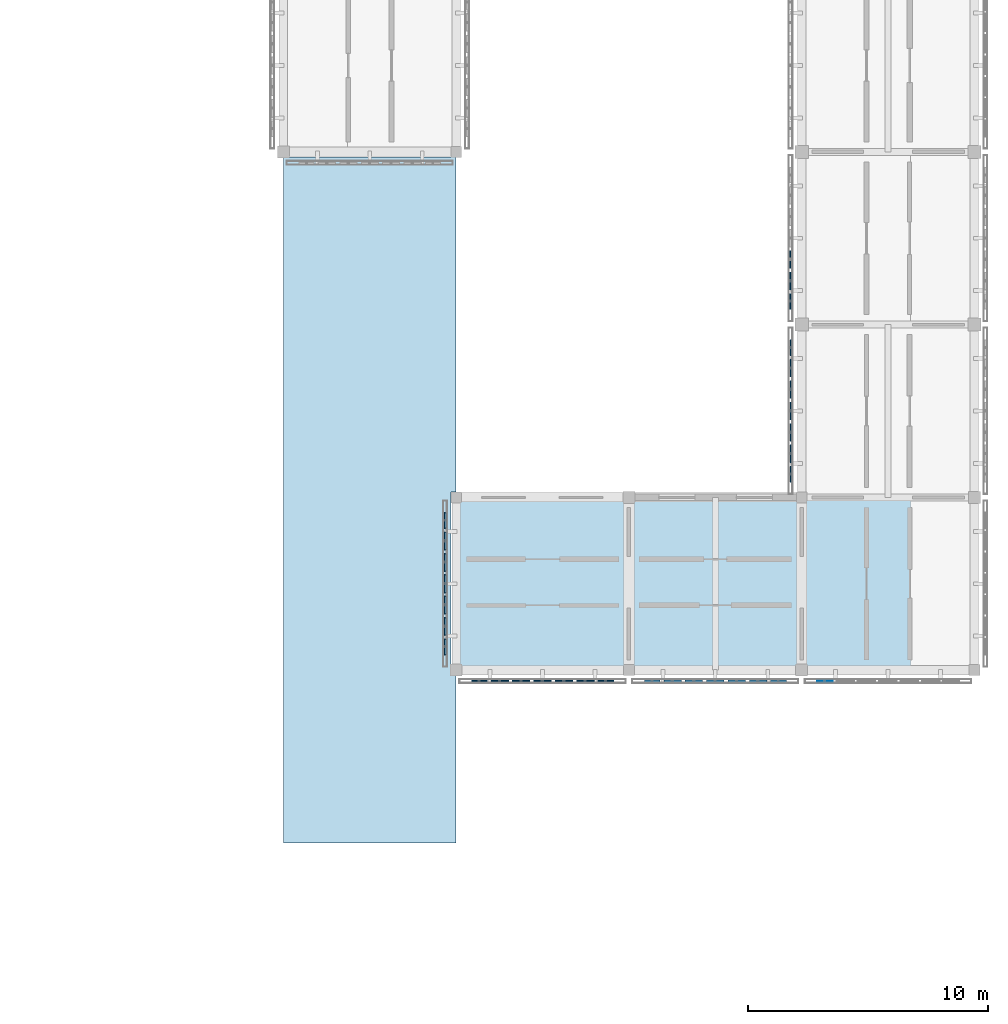
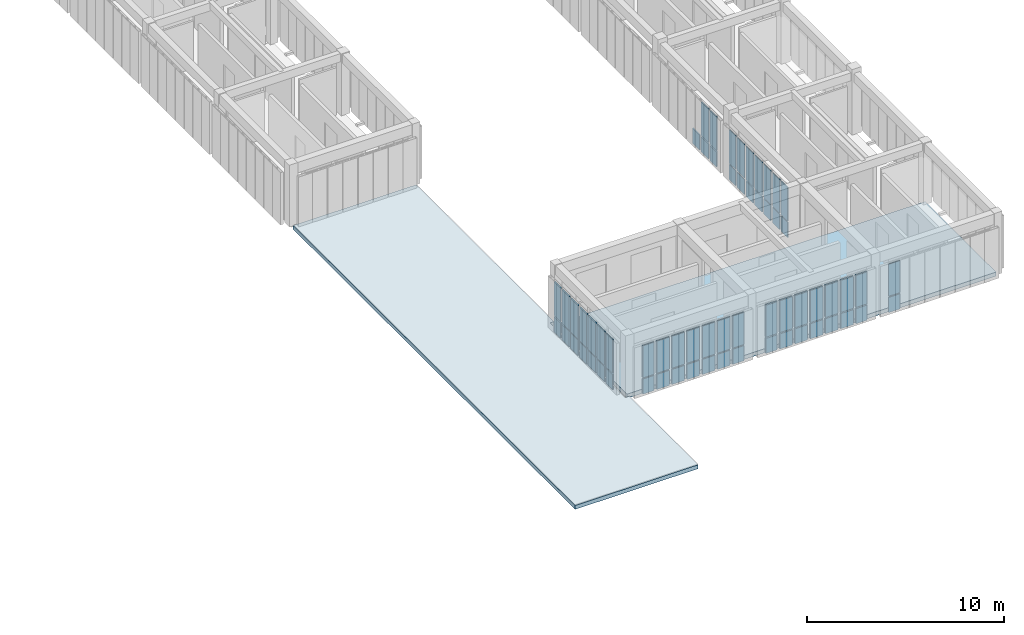
# One storey, part 45 of 67: 63 plates, 2 slabs, 6 elements without a shape of their own.
"""IFC4 building model written with IfcOpenShell, lengths in metres."""

import ifcopenshell
import ifcopenshell.guid

model = None  # the IFC model being written
_history = None  # IfcOwnerHistory: only IFC2X3 demands one
_inside = {}  # id of a spatial element -> (the spatial element, [elements in it])
_under = {}  # id of a project, library or spatial element -> (it, [spatial elements below it])
_declared = {}  # id of a project -> (the project, [libraries it declares])
_typed = {}  # id of a type object -> (the type object, [elements of that type])
_made_of = {}  # id of a material, layer set ... -> (it, [elements and type objects made of it])


def new_model(schema):
    """Start an empty IFC model of exactly this schema.

    Asked for "IFC4X3", IfcOpenShell would pick the latest addendum, in which some entities
    have other attributes; the version numbers below select the first issue.
    IFC2X3 requires an IfcOwnerHistory on every rooted entity: one is made here for all.
    """
    global model, _history
    if schema == "IFC4X3":
        model = ifcopenshell.file(schema_version=(4, 3, 0, 0))
    else:
        model = ifcopenshell.file(schema=schema)
    _inside.clear()
    _under.clear()
    _declared.clear()
    _typed.clear()
    _made_of.clear()
    _history = None
    if model.schema == "IFC2X3":
        org = make("IfcOrganization", Name="unknown")
        user = make(
            "IfcPersonAndOrganization",
            ThePerson=make("IfcPerson", FamilyName="unknown"),
            TheOrganization=org,
        )
        app = make(
            "IfcApplication",
            ApplicationDeveloper=org,
            Version="unknown",
            ApplicationFullName="unknown",
            ApplicationIdentifier="unknown",
        )
        _history = make(
            "IfcOwnerHistory",
            OwningUser=user,
            OwningApplication=app,
            ChangeAction="ADDED",
            CreationDate=0,
        )
    return model


def make(cls, **values):
    """One entity of the class cls with the attributes given. An attribute that is None is left unset."""
    return model.create_entity(
        cls, **{name: value for name, value in values.items() if value is not None}
    )


def rooted(cls, **values):
    """An entity with a GlobalId (a new one), such as an element, a storey or a relation."""
    return make(cls, GlobalId=ifcopenshell.guid.new(), OwnerHistory=_history, **values)


def si_unit(unit_type, name, prefix=None):
    """IfcSIUnit, for example si_unit("LENGTHUNIT", "METRE", prefix="MILLI")."""
    return make("IfcSIUnit", UnitType=unit_type, Prefix=prefix, Name=name)


def assignment(units):
    """IfcUnitAssignment: the units of a project."""
    return None if units is None else make("IfcUnitAssignment", Units=units)


def point(xyz):
    """IfcCartesianPoint."""
    return None if xyz is None else make("IfcCartesianPoint", Coordinates=xyz)


def direction(xyz):
    """IfcDirection."""
    return None if xyz is None else make("IfcDirection", DirectionRatios=xyz)


def frame(location, z_axis=None, x_axis=None):
    """IfcAxis2Placement3D, a coordinate frame: its origin and axes. An axis left out is left unset."""
    return make(
        "IfcAxis2Placement3D",
        Location=point(location),
        Axis=direction(z_axis),
        RefDirection=direction(x_axis),
    )


def frame_2d(location, x_axis=None):
    """IfcAxis2Placement2D, a coordinate frame in the plane: its origin and x axis."""
    return make(
        "IfcAxis2Placement2D", Location=point(location), RefDirection=direction(x_axis)
    )


def origin():
    """The frame at (0, 0, 0) with its axes left unset."""
    return frame((0.0, 0.0, 0.0))


def origin_2d():
    """The frame at (0, 0) in the plane with its x axis left unset."""
    return frame_2d((0.0, 0.0))


def place(relative_to, where):
    """IfcLocalPlacement: puts the frame where relative to a parent placement (None: the world)."""
    return make(
        "IfcLocalPlacement", PlacementRelTo=relative_to, RelativePlacement=where
    )


def context(
    kind, dimensions, precision=None, world=None, true_north=None, identifier=None
):
    """IfcGeometricRepresentationContext, for example the 3D "Model" context."""
    return make(
        "IfcGeometricRepresentationContext",
        ContextIdentifier=identifier,
        ContextType=kind,
        CoordinateSpaceDimension=dimensions,
        Precision=precision,
        WorldCoordinateSystem=world,
        TrueNorth=true_north,
    )


def subcontext(parent, identifier, kind, view, scale=None):
    """IfcGeometricRepresentationSubContext, for example "Body" below "Model"."""
    return make(
        "IfcGeometricRepresentationSubContext",
        ContextIdentifier=identifier,
        ContextType=kind,
        ParentContext=parent,
        TargetScale=scale,
        TargetView=view,
    )


def project(units=None, contexts=None):
    """IfcProject with its units and contexts."""
    return rooted(
        "IfcProject",
        Name="project",
        RepresentationContexts=contexts,
        UnitsInContext=assignment(units),
    )


def spatial(cls, under=None, at=None, **own):
    """A site, building, storey or space (cls), placed at a placement, below another one or the project."""
    s = rooted(cls, ObjectPlacement=at, **own)
    if under is not None:
        _under.setdefault(under.id(), (under, []))[1].append(s)
    return s


def polyline(points):
    """IfcPolyline through the points."""
    return make("IfcPolyline", Points=[point(p) for p in points])


def profile(cls, at=None, kind="AREA", **sizes):
    """A parametric profile (cls). Its sizes go by their IFC names, for example OverallWidth=200.0."""
    return make(cls, ProfileType=kind, Position=at, **sizes)


def rectangle(**sizes):
    """IfcRectangleProfileDef."""
    return profile("IfcRectangleProfileDef", **sizes)


def outline(outer, holes=None, kind="AREA"):
    """IfcArbitraryClosedProfileDef: a profile drawn as a closed curve; with holes, ...WithVoids."""
    if holes is None:
        return make("IfcArbitraryClosedProfileDef", ProfileType=kind, OuterCurve=outer)
    return make(
        "IfcArbitraryProfileDefWithVoids",
        ProfileType=kind,
        OuterCurve=outer,
        InnerCurves=holes,
    )


def extrude(swept, where, along, depth):
    """IfcExtrudedAreaSolid: the profile swept, set in the frame where, extruded along a direction by depth."""
    return make(
        "IfcExtrudedAreaSolid",
        SweptArea=swept,
        Position=where,
        ExtrudedDirection=direction(along),
        Depth=depth,
    )


def shape(context_of_items, identifier, shape_type, items):
    """IfcShapeRepresentation: the items that make up one representation, for example the "Body"."""
    return make(
        "IfcShapeRepresentation",
        ContextOfItems=context_of_items,
        RepresentationIdentifier=identifier,
        RepresentationType=shape_type,
        Items=items,
    )


def material(Name=None, Category=None):
    """IfcMaterial."""
    return make("IfcMaterial", Name=Name, Category=Category)


def layer(
    of_material, thickness, ventilated=None, Name=None, Category=None, Priority=None
):
    """IfcMaterialLayer: one layer of a wall or slab, of a material (None: an air gap)."""
    return make(
        "IfcMaterialLayer",
        Material=of_material,
        LayerThickness=thickness,
        IsVentilated=ventilated,
        Name=Name,
        Category=Category,
        Priority=Priority,
    )


def layer_set(layers, Name=None):
    """IfcMaterialLayerSet."""
    return make("IfcMaterialLayerSet", MaterialLayers=layers, LayerSetName=Name)


def made_of(thing, what):
    """Note that an element or type object is made of a material, layer set ...; save() writes the relation."""
    if what is not None:
        _made_of.setdefault(what.id(), (what, []))[1].append(thing)
    return thing


def type_object(cls, material=None, **own):
    """A type object (cls), such as IfcWallType, which elements share."""
    return made_of(rooted(cls, **own), material)


def element(
    cls,
    number,
    at=None,
    inside=None,
    cuts=None,
    type_object=None,
    material=None,
    context=None,
    identifier="Body",
    shape_type=None,
    held_by="IfcProductDefinitionShape",
    body=None,
    shapes=None,
    **own,
):
    """One element of the class cls, such as IfcWall. Its Tag is "e" and its number.

    at: its placement. inside: the storey or other place that contains it. cuts: it is an
    opening in that element (IfcRelVoidsElement). A single representation is given by context,
    identifier, shape_type and body (its items); several are given by shapes. held_by: the class
    of the entity that holds the representations. save() writes the other relations.
    """
    e = rooted(cls, Tag="e%d" % number, ObjectPlacement=at, **own)
    if body is not None:
        shapes = [shape(context, identifier, shape_type, body)]
    if shapes is not None:
        e.Representation = make(held_by, Representations=shapes)
    if inside is not None:
        _inside.setdefault(inside.id(), (inside, []))[1].append(e)
    if cuts is not None:
        rooted(
            "IfcRelVoidsElement", RelatingBuildingElement=cuts, RelatedOpeningElement=e
        )
    if type_object is not None:
        _typed.setdefault(type_object.id(), (type_object, []))[1].append(e)
    return made_of(e, material)


def aggregate(whole, parts):
    """IfcRelAggregates: a whole, such as a stair, and the parts it consists of."""
    return rooted("IfcRelAggregates", RelatingObject=whole, RelatedObjects=parts)


def save(model, path):
    """Write the relations noted so far, then the file.

    IfcRelAggregates (storeys below a building ...), IfcRelContainedInSpatialStructure (elements
    in a storey), IfcRelDefinesByType, IfcRelAssociatesMaterial and IfcRelDeclares: one each for
    every whole, place, type object, material and project.
    """
    for whole, parts in _under.values():
        aggregate(whole, parts)
    for where, things in _inside.values():
        rooted(
            "IfcRelContainedInSpatialStructure",
            RelatedElements=things,
            RelatingStructure=where,
        )
    for kind, things in _typed.values():
        rooted("IfcRelDefinesByType", RelatedObjects=things, RelatingType=kind)
    for what, things in _made_of.values():
        rooted("IfcRelAssociatesMaterial", RelatedObjects=things, RelatingMaterial=what)
    for by, libraries in _declared.values():
        rooted("IfcRelDeclares", RelatingContext=by, RelatedDefinitions=libraries)
    model.write(path)


model = new_model("IFC4")

# Units and contexts
model_context = context("Model", 3, precision=1e-05, world=origin(), true_north=direction((0.0, 1.0)))
body_context = subcontext(model_context, "Body", "Model", "MODEL_VIEW")
ifc_project = project(units=[si_unit("LENGTHUNIT", "METRE"), si_unit("AREAUNIT", "SQUARE_METRE"), si_unit("VOLUMEUNIT", "CUBIC_METRE"), si_unit("PLANEANGLEUNIT", "RADIAN"), si_unit("MASSUNIT", "GRAM", prefix="KILO")], contexts=[model_context])

# Site, building, storey
site_placement = place(None, origin())
site = spatial("IfcSite", under=ifc_project, at=site_placement, CompositionType="ELEMENT")
building_placement = place(site_placement, origin())
building = spatial("IfcBuilding", under=site, at=building_placement, Name="Aldebral Square Health Centre", CompositionType="ELEMENT")
storey_placement = place(building_placement, frame((0.0, 0.0, 13.5)))
storey = spatial("IfcBuildingStorey", under=building, at=storey_placement, Name="L03", CompositionType="ELEMENT", Elevation=13.5)

# Curtain wall, plates
ifc_material_1 = material(Name="Aluminium and low-E solar glass", Category="aluminium")
curtain_wall_type = type_object("IfcCurtainWallType", Name="CW-FIN-SYS", PredefinedType="USERDEFINED", material=ifc_material_1)
curtain_wall_1_placement = place(storey_placement, origin())
curtain_wall_1 = element("IfcCurtainWall", 1, at=curtain_wall_1_placement, inside=storey, type_object=curtain_wall_type, Name="L03 V5 finned curtain wall L03-V5-22-08-S", ObjectType="SOLAR_CURTAIN_WALL", PredefinedType="USERDEFINED")
ifc_material_2 = material(Name="Solar-control low-E double glass", Category="glass")
ifc_layer_1 = layer(ifc_material_2, 0.030029296875, Name="Solar-control low-E double glass", Category="glass")
ifc_layer_set_1 = layer_set([ifc_layer_1], Name="Solar-control low-E double glass")
plate_type_1 = type_object("IfcPlateType", Name="CWP-GLZ-2", PredefinedType="CURTAIN_PANEL", material=ifc_layer_set_1)
plate_1_placement = place(storey_placement, frame((159.36572265625, 57.139892578125, 0.074951171875), z_axis=(0.0, 0.0, 1.0), x_axis=(1.0, 0.0, 0.0)))
plate_1 = element("IfcPlate", 2, at=plate_1_placement, type_object=plate_type_1, Name="CW1 panel 1.1", PredefinedType="CURTAIN_PANEL", context=body_context, shape_type="SweptSolid", body=[
    extrude(rectangle(XDim=0.6513671875, YDim=0.030029296875, at=origin_2d()), origin(), (0.0, 0.0, 1.0), 0.9375),
])
plate_2_placement = place(storey_placement, frame((159.36572265625, 57.139892578125, 1.08740234375), z_axis=(0.0, 0.0, 1.0), x_axis=(1.0, 0.0, 0.0)))
plate_2 = element("IfcPlate", 3, at=plate_2_placement, type_object=plate_type_1, Name="CW1 panel 1.2", PredefinedType="CURTAIN_PANEL", context=body_context, shape_type="SweptSolid", body=[
    extrude(rectangle(XDim=0.6513671875, YDim=0.030029296875, at=origin_2d()), origin(), (0.0, 0.0, 1.0), 1.9775390625),
])
aggregate(curtain_wall_1, [plate_1, plate_2])

curtain_wall_2_placement = place(storey_placement, origin())
curtain_wall_2 = element("IfcCurtainWall", 4, at=curtain_wall_2_placement, inside=storey, type_object=curtain_wall_type, Name="L03 V5 finned curtain wall L03-V5-22-09-W", ObjectType="SOLAR_CURTAIN_WALL", PredefinedType="USERDEFINED")
ifc_layer_2 = layer(ifc_material_2, 0.050048828125, Name="Solar-control low-E double glass", Category="glass")
ifc_layer_set_2 = layer_set([ifc_layer_2], Name="Solar-control low-E double glass")
plate_type_2 = type_object("IfcPlateType", Name="CWP-GLZ-4", PredefinedType="CURTAIN_PANEL", material=ifc_layer_set_2)
plate_3_placement = place(storey_placement, frame((157.93994140625, 71.0341796875, 0.074951171875), z_axis=(0.0, 0.0, 1.0), x_axis=(0.0, -1.0, 0.0)))
plate_3 = element("IfcPlate", 5, at=plate_3_placement, type_object=plate_type_2, Name="CW1 panel 1.1", PredefinedType="CURTAIN_PANEL", context=body_context, shape_type="SweptSolid", body=[
    extrude(rectangle(XDim=0.6513671875, YDim=0.050048828125, at=origin_2d()), origin(), (0.0, 0.0, 1.0), 0.9375),
])
plate_4_placement = place(storey_placement, frame((157.93994140625, 71.0341796875, 1.08740234375), z_axis=(0.0, 0.0, 1.0), x_axis=(0.0, -1.0, 0.0)))
plate_4 = element("IfcPlate", 6, at=plate_4_placement, type_object=plate_type_2, Name="CW1 panel 1.2", PredefinedType="CURTAIN_PANEL", context=body_context, shape_type="SweptSolid", body=[
    extrude(rectangle(XDim=0.6513671875, YDim=0.050048828125, at=origin_2d()), origin(), (0.0, 0.0, 1.0), 2.077392578125),
])
plate_5_placement = place(storey_placement, frame((157.93994140625, 70.182861328125, 0.074951171875), z_axis=(0.0, 0.0, 1.0), x_axis=(0.0, -1.0, 0.0)))
plate_5 = element("IfcPlate", 7, at=plate_5_placement, type_object=plate_type_2, Name="CW1 panel 2.1", PredefinedType="CURTAIN_PANEL", context=body_context, shape_type="SweptSolid", body=[
    extrude(rectangle(XDim=0.7314453125, YDim=0.050048828125, at=origin_2d()), origin(), (0.0, 0.0, 1.0), 0.9375),
])
plate_6_placement = place(storey_placement, frame((157.93994140625, 70.182861328125, 1.08740234375), z_axis=(0.0, 0.0, 1.0), x_axis=(0.0, -1.0, 0.0)))
plate_6 = element("IfcPlate", 8, at=plate_6_placement, type_object=plate_type_2, Name="CW1 panel 2.2", PredefinedType="CURTAIN_PANEL", context=body_context, shape_type="SweptSolid", body=[
    extrude(rectangle(XDim=0.7314453125, YDim=0.050048828125, at=origin_2d()), origin(), (0.0, 0.0, 1.0), 2.077392578125),
])
plate_7_placement = place(storey_placement, frame((157.93994140625, 69.29150390625, 0.074951171875), z_axis=(0.0, 0.0, 1.0), x_axis=(0.0, -1.0, 0.0)))
plate_7 = element("IfcPlate", 9, at=plate_7_placement, type_object=plate_type_2, Name="CW1 panel 3.1", PredefinedType="CURTAIN_PANEL", context=body_context, shape_type="SweptSolid", body=[
    extrude(rectangle(XDim=0.7314453125, YDim=0.050048828125, at=origin_2d()), origin(), (0.0, 0.0, 1.0), 0.9375),
])
plate_8_placement = place(storey_placement, frame((157.93994140625, 69.29150390625, 1.08740234375), z_axis=(0.0, 0.0, 1.0), x_axis=(0.0, -1.0, 0.0)))
plate_8 = element("IfcPlate", 10, at=plate_8_placement, type_object=plate_type_2, Name="CW1 panel 3.2", PredefinedType="CURTAIN_PANEL", context=body_context, shape_type="SweptSolid", body=[
    extrude(rectangle(XDim=0.7314453125, YDim=0.050048828125, at=origin_2d()), origin(), (0.0, 0.0, 1.0), 2.077392578125),
])
plate_9_placement = place(storey_placement, frame((157.93994140625, 68.39990234375, 0.074951171875), z_axis=(0.0, 0.0, 1.0), x_axis=(0.0, -1.0, 0.0)))
plate_9 = element("IfcPlate", 11, at=plate_9_placement, type_object=plate_type_2, Name="CW1 panel 4.1", PredefinedType="CURTAIN_PANEL", context=body_context, shape_type="SweptSolid", body=[
    extrude(rectangle(XDim=0.7314453125, YDim=0.050048828125, at=origin_2d()), origin(), (0.0, 0.0, 1.0), 0.9375),
])
plate_10_placement = place(storey_placement, frame((157.93994140625, 68.39990234375, 1.08740234375), z_axis=(0.0, 0.0, 1.0), x_axis=(0.0, -1.0, 0.0)))
plate_10 = element("IfcPlate", 12, at=plate_10_placement, type_object=plate_type_2, Name="CW1 panel 4.2", PredefinedType="CURTAIN_PANEL", context=body_context, shape_type="SweptSolid", body=[
    extrude(rectangle(XDim=0.7314453125, YDim=0.050048828125, at=origin_2d()), origin(), (0.0, 0.0, 1.0), 2.077392578125),
])
plate_11_placement = place(storey_placement, frame((157.93994140625, 67.508544921875, 0.074951171875), z_axis=(0.0, 0.0, 1.0), x_axis=(0.0, -1.0, 0.0)))
plate_11 = element("IfcPlate", 13, at=plate_11_placement, type_object=plate_type_2, Name="CW1 panel 5.1", PredefinedType="CURTAIN_PANEL", context=body_context, shape_type="SweptSolid", body=[
    extrude(rectangle(XDim=0.7314453125, YDim=0.050048828125, at=origin_2d()), origin(), (0.0, 0.0, 1.0), 0.9375),
])
plate_12_placement = place(storey_placement, frame((157.93994140625, 67.508544921875, 1.08740234375), z_axis=(0.0, 0.0, 1.0), x_axis=(0.0, -1.0, 0.0)))
plate_12 = element("IfcPlate", 14, at=plate_12_placement, type_object=plate_type_2, Name="CW1 panel 5.2", PredefinedType="CURTAIN_PANEL", context=body_context, shape_type="SweptSolid", body=[
    extrude(rectangle(XDim=0.7314453125, YDim=0.050048828125, at=origin_2d()), origin(), (0.0, 0.0, 1.0), 2.077392578125),
])
plate_13_placement = place(storey_placement, frame((157.93994140625, 66.6171875, 0.074951171875), z_axis=(0.0, 0.0, 1.0), x_axis=(0.0, -1.0, 0.0)))
plate_13 = element("IfcPlate", 15, at=plate_13_placement, type_object=plate_type_2, Name="CW1 panel 6.1", PredefinedType="CURTAIN_PANEL", context=body_context, shape_type="SweptSolid", body=[
    extrude(rectangle(XDim=0.7314453125, YDim=0.050048828125, at=origin_2d()), origin(), (0.0, 0.0, 1.0), 0.9375),
])
plate_14_placement = place(storey_placement, frame((157.93994140625, 66.6171875, 1.08740234375), z_axis=(0.0, 0.0, 1.0), x_axis=(0.0, -1.0, 0.0)))
plate_14 = element("IfcPlate", 16, at=plate_14_placement, type_object=plate_type_2, Name="CW1 panel 6.2", PredefinedType="CURTAIN_PANEL", context=body_context, shape_type="SweptSolid", body=[
    extrude(rectangle(XDim=0.7314453125, YDim=0.050048828125, at=origin_2d()), origin(), (0.0, 0.0, 1.0), 2.077392578125),
])
plate_15_placement = place(storey_placement, frame((157.93994140625, 65.765625, 0.074951171875), z_axis=(0.0, 0.0, 1.0), x_axis=(0.0, -1.0, 0.0)))
plate_15 = element("IfcPlate", 17, at=plate_15_placement, type_object=plate_type_2, Name="CW1 panel 7.1", PredefinedType="CURTAIN_PANEL", context=body_context, shape_type="SweptSolid", body=[
    extrude(rectangle(XDim=0.6513671875, YDim=0.050048828125, at=origin_2d()), origin(), (0.0, 0.0, 1.0), 0.9375),
])
plate_16_placement = place(storey_placement, frame((157.93994140625, 65.765625, 1.08740234375), z_axis=(0.0, 0.0, 1.0), x_axis=(0.0, -1.0, 0.0)))
plate_16 = element("IfcPlate", 18, at=plate_16_placement, type_object=plate_type_2, Name="CW1 panel 7.2", PredefinedType="CURTAIN_PANEL", context=body_context, shape_type="SweptSolid", body=[
    extrude(rectangle(XDim=0.6513671875, YDim=0.050048828125, at=origin_2d()), origin(), (0.0, 0.0, 1.0), 2.077392578125),
])
aggregate(curtain_wall_2, [plate_3, plate_4, plate_5, plate_6, plate_7, plate_8, plate_9, plate_10, plate_11, plate_12, plate_13, plate_14, plate_15, plate_16])

curtain_wall_3_placement = place(storey_placement, origin())
curtain_wall_3 = element("IfcCurtainWall", 19, at=curtain_wall_3_placement, inside=storey, type_object=curtain_wall_type, Name="L03 V5 finned curtain wall L03-V5-20-08-S", ObjectType="SOLAR_CURTAIN_WALL", PredefinedType="USERDEFINED")
ifc_layer_3 = layer(ifc_material_2, 0.070068359375, Name="Solar-control low-E double glass", Category="glass")
ifc_layer_set_3 = layer_set([ifc_layer_3], Name="Solar-control low-E double glass")
plate_type_3 = type_object("IfcPlateType", Name="CWP-GLZ-6", PredefinedType="CURTAIN_PANEL", material=ifc_layer_set_3)
plate_17_placement = place(storey_placement, frame((144.9658203125, 57.139892578125, 0.074951171875), z_axis=(0.0, 0.0, 1.0), x_axis=(1.0, 0.0, 0.0)))
plate_17 = element("IfcPlate", 20, at=plate_17_placement, type_object=plate_type_3, Name="CW1 panel 1.1", PredefinedType="CURTAIN_PANEL", context=body_context, shape_type="SweptSolid", body=[
    extrude(rectangle(XDim=0.6513671875, YDim=0.070068359375, at=origin_2d()), origin(), (0.0, 0.0, 1.0), 0.9375),
])
plate_18_placement = place(storey_placement, frame((144.9658203125, 57.139892578125, 1.08740234375), z_axis=(0.0, 0.0, 1.0), x_axis=(1.0, 0.0, 0.0)))
plate_18 = element("IfcPlate", 21, at=plate_18_placement, type_object=plate_type_3, Name="CW1 panel 1.2", PredefinedType="CURTAIN_PANEL", context=body_context, shape_type="SweptSolid", body=[
    extrude(rectangle(XDim=0.6513671875, YDim=0.070068359375, at=origin_2d()), origin(), (0.0, 0.0, 1.0), 1.9775390625),
])
plate_19_placement = place(storey_placement, frame((145.817138671875, 57.139892578125, 0.074951171875), z_axis=(0.0, 0.0, 1.0), x_axis=(1.0, 0.0, 0.0)))
plate_19 = element("IfcPlate", 22, at=plate_19_placement, type_object=plate_type_3, Name="CW1 panel 2.1", PredefinedType="CURTAIN_PANEL", context=body_context, shape_type="SweptSolid", body=[
    extrude(rectangle(XDim=0.7314453125, YDim=0.070068359375, at=origin_2d()), origin(), (0.0, 0.0, 1.0), 0.9375),
])
plate_20_placement = place(storey_placement, frame((145.817138671875, 57.139892578125, 1.08740234375), z_axis=(0.0, 0.0, 1.0), x_axis=(1.0, 0.0, 0.0)))
plate_20 = element("IfcPlate", 23, at=plate_20_placement, type_object=plate_type_3, Name="CW1 panel 2.2", PredefinedType="CURTAIN_PANEL", context=body_context, shape_type="SweptSolid", body=[
    extrude(rectangle(XDim=0.7314453125, YDim=0.070068359375, at=origin_2d()), origin(), (0.0, 0.0, 1.0), 1.9775390625),
])
plate_21_placement = place(storey_placement, frame((146.70849609375, 57.139892578125, 0.074951171875), z_axis=(0.0, 0.0, 1.0), x_axis=(1.0, 0.0, 0.0)))
plate_21 = element("IfcPlate", 24, at=plate_21_placement, type_object=plate_type_3, Name="CW1 panel 3.1", PredefinedType="CURTAIN_PANEL", context=body_context, shape_type="SweptSolid", body=[
    extrude(rectangle(XDim=0.7314453125, YDim=0.070068359375, at=origin_2d()), origin(), (0.0, 0.0, 1.0), 0.9375),
])
plate_22_placement = place(storey_placement, frame((146.70849609375, 57.139892578125, 1.08740234375), z_axis=(0.0, 0.0, 1.0), x_axis=(1.0, 0.0, 0.0)))
plate_22 = element("IfcPlate", 25, at=plate_22_placement, type_object=plate_type_3, Name="CW1 panel 3.2", PredefinedType="CURTAIN_PANEL", context=body_context, shape_type="SweptSolid", body=[
    extrude(rectangle(XDim=0.7314453125, YDim=0.070068359375, at=origin_2d()), origin(), (0.0, 0.0, 1.0), 1.9775390625),
])
plate_23_placement = place(storey_placement, frame((147.60009765625, 57.139892578125, 0.074951171875), z_axis=(0.0, 0.0, 1.0), x_axis=(1.0, 0.0, 0.0)))
plate_23 = element("IfcPlate", 26, at=plate_23_placement, type_object=plate_type_3, Name="CW1 panel 4.1", PredefinedType="CURTAIN_PANEL", context=body_context, shape_type="SweptSolid", body=[
    extrude(rectangle(XDim=0.7314453125, YDim=0.070068359375, at=origin_2d()), origin(), (0.0, 0.0, 1.0), 0.9375),
])
plate_24_placement = place(storey_placement, frame((147.60009765625, 57.139892578125, 1.08740234375), z_axis=(0.0, 0.0, 1.0), x_axis=(1.0, 0.0, 0.0)))
plate_24 = element("IfcPlate", 27, at=plate_24_placement, type_object=plate_type_3, Name="CW1 panel 4.2", PredefinedType="CURTAIN_PANEL", context=body_context, shape_type="SweptSolid", body=[
    extrude(rectangle(XDim=0.7314453125, YDim=0.070068359375, at=origin_2d()), origin(), (0.0, 0.0, 1.0), 1.9775390625),
])
plate_25_placement = place(storey_placement, frame((148.491455078125, 57.139892578125, 0.074951171875), z_axis=(0.0, 0.0, 1.0), x_axis=(1.0, 0.0, 0.0)))
plate_25 = element("IfcPlate", 28, at=plate_25_placement, type_object=plate_type_3, Name="CW1 panel 5.1", PredefinedType="CURTAIN_PANEL", context=body_context, shape_type="SweptSolid", body=[
    extrude(rectangle(XDim=0.7314453125, YDim=0.070068359375, at=origin_2d()), origin(), (0.0, 0.0, 1.0), 0.9375),
])
plate_26_placement = place(storey_placement, frame((148.491455078125, 57.139892578125, 1.08740234375), z_axis=(0.0, 0.0, 1.0), x_axis=(1.0, 0.0, 0.0)))
plate_26 = element("IfcPlate", 29, at=plate_26_placement, type_object=plate_type_3, Name="CW1 panel 5.2", PredefinedType="CURTAIN_PANEL", context=body_context, shape_type="SweptSolid", body=[
    extrude(rectangle(XDim=0.7314453125, YDim=0.070068359375, at=origin_2d()), origin(), (0.0, 0.0, 1.0), 1.9775390625),
])
plate_27_placement = place(storey_placement, frame((149.3828125, 57.139892578125, 0.074951171875), z_axis=(0.0, 0.0, 1.0), x_axis=(1.0, 0.0, 0.0)))
plate_27 = element("IfcPlate", 30, at=plate_27_placement, type_object=plate_type_3, Name="CW1 panel 6.1", PredefinedType="CURTAIN_PANEL", context=body_context, shape_type="SweptSolid", body=[
    extrude(rectangle(XDim=0.7314453125, YDim=0.070068359375, at=origin_2d()), origin(), (0.0, 0.0, 1.0), 0.9375),
])
plate_28_placement = place(storey_placement, frame((149.3828125, 57.139892578125, 1.08740234375), z_axis=(0.0, 0.0, 1.0), x_axis=(1.0, 0.0, 0.0)))
plate_28 = element("IfcPlate", 31, at=plate_28_placement, type_object=plate_type_3, Name="CW1 panel 6.2", PredefinedType="CURTAIN_PANEL", context=body_context, shape_type="SweptSolid", body=[
    extrude(rectangle(XDim=0.7314453125, YDim=0.070068359375, at=origin_2d()), origin(), (0.0, 0.0, 1.0), 1.9775390625),
])
plate_29_placement = place(storey_placement, frame((150.234375, 57.139892578125, 0.074951171875), z_axis=(0.0, 0.0, 1.0), x_axis=(1.0, 0.0, 0.0)))
plate_29 = element("IfcPlate", 32, at=plate_29_placement, type_object=plate_type_3, Name="CW1 panel 7.1", PredefinedType="CURTAIN_PANEL", context=body_context, shape_type="SweptSolid", body=[
    extrude(rectangle(XDim=0.6513671875, YDim=0.070068359375, at=origin_2d()), origin(), (0.0, 0.0, 1.0), 0.9375),
])
plate_30_placement = place(storey_placement, frame((150.234375, 57.139892578125, 1.08740234375), z_axis=(0.0, 0.0, 1.0), x_axis=(1.0, 0.0, 0.0)))
plate_30 = element("IfcPlate", 33, at=plate_30_placement, type_object=plate_type_3, Name="CW1 panel 7.2", PredefinedType="CURTAIN_PANEL", context=body_context, shape_type="SweptSolid", body=[
    extrude(rectangle(XDim=0.6513671875, YDim=0.070068359375, at=origin_2d()), origin(), (0.0, 0.0, 1.0), 1.9775390625),
])
aggregate(curtain_wall_3, [plate_17, plate_18, plate_19, plate_20, plate_21, plate_22, plate_23, plate_24, plate_25, plate_26, plate_27, plate_28, plate_29, plate_30])

curtain_wall_4_placement = place(storey_placement, origin())
curtain_wall_4 = element("IfcCurtainWall", 34, at=curtain_wall_4_placement, inside=storey, type_object=curtain_wall_type, Name="L03 V5 finned curtain wall L03-V5-22-10-W", ObjectType="SOLAR_CURTAIN_WALL", PredefinedType="USERDEFINED")
plate_31_placement = place(storey_placement, frame((157.93994140625, 74.70849609375, 0.074951171875), z_axis=(0.0, 0.0, 1.0), x_axis=(0.0, -1.0, 0.0)))
plate_31 = element("IfcPlate", 35, at=plate_31_placement, type_object=plate_type_3, Name="CW1 panel 5.1", PredefinedType="CURTAIN_PANEL", context=body_context, shape_type="SweptSolid", body=[
    extrude(rectangle(XDim=0.7314453125, YDim=0.070068359375, at=origin_2d()), origin(), (0.0, 0.0, 1.0), 0.9375),
])
plate_32_placement = place(storey_placement, frame((157.93994140625, 73.817138671875, 0.074951171875), z_axis=(0.0, 0.0, 1.0), x_axis=(0.0, -1.0, 0.0)))
plate_32 = element("IfcPlate", 36, at=plate_32_placement, type_object=plate_type_3, Name="CW1 panel 6.1", PredefinedType="CURTAIN_PANEL", context=body_context, shape_type="SweptSolid", body=[
    extrude(rectangle(XDim=0.7314453125, YDim=0.070068359375, at=origin_2d()), origin(), (0.0, 0.0, 1.0), 0.9375),
])
plate_33_placement = place(storey_placement, frame((157.93994140625, 73.817138671875, 1.08740234375), z_axis=(0.0, 0.0, 1.0), x_axis=(0.0, -1.0, 0.0)))
plate_33 = element("IfcPlate", 37, at=plate_33_placement, type_object=plate_type_3, Name="CW1 panel 6.2", PredefinedType="CURTAIN_PANEL", context=body_context, shape_type="SweptSolid", body=[
    extrude(rectangle(XDim=0.7314453125, YDim=0.070068359375, at=origin_2d()), origin(), (0.0, 0.0, 1.0), 2.077392578125),
])
plate_34_placement = place(storey_placement, frame((157.93994140625, 72.9658203125, 0.074951171875), z_axis=(0.0, 0.0, 1.0), x_axis=(0.0, -1.0, 0.0)))
plate_34 = element("IfcPlate", 38, at=plate_34_placement, type_object=plate_type_3, Name="CW1 panel 7.1", PredefinedType="CURTAIN_PANEL", context=body_context, shape_type="SweptSolid", body=[
    extrude(rectangle(XDim=0.6513671875, YDim=0.070068359375, at=origin_2d()), origin(), (0.0, 0.0, 1.0), 0.9375),
])
plate_35_placement = place(storey_placement, frame((157.93994140625, 72.9658203125, 1.08740234375), z_axis=(0.0, 0.0, 1.0), x_axis=(0.0, -1.0, 0.0)))
plate_35 = element("IfcPlate", 39, at=plate_35_placement, type_object=plate_type_3, Name="CW1 panel 7.2", PredefinedType="CURTAIN_PANEL", context=body_context, shape_type="SweptSolid", body=[
    extrude(rectangle(XDim=0.6513671875, YDim=0.070068359375, at=origin_2d()), origin(), (0.0, 0.0, 1.0), 2.077392578125),
])
aggregate(curtain_wall_4, [plate_31, plate_32, plate_33, plate_34, plate_35])

curtain_wall_5_placement = place(storey_placement, origin())
curtain_wall_5 = element("IfcCurtainWall", 40, at=curtain_wall_5_placement, inside=storey, type_object=curtain_wall_type, Name="L03 V5 finned curtain wall L03-V5-20-08-W", ObjectType="SOLAR_CURTAIN_WALL", PredefinedType="USERDEFINED")
ifc_layer_4 = layer(ifc_material_2, 0.080078125, Name="Solar-control low-E double glass", Category="glass")
ifc_layer_set_4 = layer_set([ifc_layer_4], Name="Solar-control low-E double glass")
plate_type_4 = type_object("IfcPlateType", Name="CWP-GLZ-7", PredefinedType="CURTAIN_PANEL", material=ifc_layer_set_4)
plate_36_placement = place(storey_placement, frame((143.5400390625, 63.834228515625, 0.074951171875), z_axis=(0.0, 0.0, 1.0), x_axis=(0.0, -1.0, 0.0)))
plate_36 = element("IfcPlate", 41, at=plate_36_placement, type_object=plate_type_4, Name="CW1 panel 1.1", PredefinedType="CURTAIN_PANEL", context=body_context, shape_type="SweptSolid", body=[
    extrude(rectangle(XDim=0.6513671875, YDim=0.080078125, at=origin_2d()), origin(), (0.0, 0.0, 1.0), 0.9375),
])
plate_37_placement = place(storey_placement, frame((143.5400390625, 63.834228515625, 1.08740234375), z_axis=(0.0, 0.0, 1.0), x_axis=(0.0, -1.0, 0.0)))
plate_37 = element("IfcPlate", 42, at=plate_37_placement, type_object=plate_type_4, Name="CW1 panel 1.2", PredefinedType="CURTAIN_PANEL", context=body_context, shape_type="SweptSolid", body=[
    extrude(rectangle(XDim=0.6513671875, YDim=0.080078125, at=origin_2d()), origin(), (0.0, 0.0, 1.0), 2.077392578125),
])
plate_38_placement = place(storey_placement, frame((143.5400390625, 62.98291015625, 0.074951171875), z_axis=(0.0, 0.0, 1.0), x_axis=(0.0, -1.0, 0.0)))
plate_38 = element("IfcPlate", 43, at=plate_38_placement, type_object=plate_type_4, Name="CW1 panel 2.1", PredefinedType="CURTAIN_PANEL", context=body_context, shape_type="SweptSolid", body=[
    extrude(rectangle(XDim=0.7314453125, YDim=0.080078125, at=origin_2d()), origin(), (0.0, 0.0, 1.0), 0.9375),
])
plate_39_placement = place(storey_placement, frame((143.5400390625, 62.98291015625, 1.08740234375), z_axis=(0.0, 0.0, 1.0), x_axis=(0.0, -1.0, 0.0)))
plate_39 = element("IfcPlate", 44, at=plate_39_placement, type_object=plate_type_4, Name="CW1 panel 2.2", PredefinedType="CURTAIN_PANEL", context=body_context, shape_type="SweptSolid", body=[
    extrude(rectangle(XDim=0.7314453125, YDim=0.080078125, at=origin_2d()), origin(), (0.0, 0.0, 1.0), 2.077392578125),
])
plate_40_placement = place(storey_placement, frame((143.5400390625, 62.09130859375, 0.074951171875), z_axis=(0.0, 0.0, 1.0), x_axis=(0.0, -1.0, 0.0)))
plate_40 = element("IfcPlate", 45, at=plate_40_placement, type_object=plate_type_4, Name="CW1 panel 3.1", PredefinedType="CURTAIN_PANEL", context=body_context, shape_type="SweptSolid", body=[
    extrude(rectangle(XDim=0.7314453125, YDim=0.080078125, at=origin_2d()), origin(), (0.0, 0.0, 1.0), 0.9375),
])
plate_41_placement = place(storey_placement, frame((143.5400390625, 62.09130859375, 1.08740234375), z_axis=(0.0, 0.0, 1.0), x_axis=(0.0, -1.0, 0.0)))
plate_41 = element("IfcPlate", 46, at=plate_41_placement, type_object=plate_type_4, Name="CW1 panel 3.2", PredefinedType="CURTAIN_PANEL", context=body_context, shape_type="SweptSolid", body=[
    extrude(rectangle(XDim=0.7314453125, YDim=0.080078125, at=origin_2d()), origin(), (0.0, 0.0, 1.0), 2.077392578125),
])
plate_42_placement = place(storey_placement, frame((143.5400390625, 61.199951171875, 0.074951171875), z_axis=(0.0, 0.0, 1.0), x_axis=(0.0, -1.0, 0.0)))
plate_42 = element("IfcPlate", 47, at=plate_42_placement, type_object=plate_type_4, Name="CW1 panel 4.1", PredefinedType="CURTAIN_PANEL", context=body_context, shape_type="SweptSolid", body=[
    extrude(rectangle(XDim=0.7314453125, YDim=0.080078125, at=origin_2d()), origin(), (0.0, 0.0, 1.0), 0.9375),
])
plate_43_placement = place(storey_placement, frame((143.5400390625, 61.199951171875, 1.08740234375), z_axis=(0.0, 0.0, 1.0), x_axis=(0.0, -1.0, 0.0)))
plate_43 = element("IfcPlate", 48, at=plate_43_placement, type_object=plate_type_4, Name="CW1 panel 4.2", PredefinedType="CURTAIN_PANEL", context=body_context, shape_type="SweptSolid", body=[
    extrude(rectangle(XDim=0.7314453125, YDim=0.080078125, at=origin_2d()), origin(), (0.0, 0.0, 1.0), 2.077392578125),
])
plate_44_placement = place(storey_placement, frame((143.5400390625, 60.30859375, 0.074951171875), z_axis=(0.0, 0.0, 1.0), x_axis=(0.0, -1.0, 0.0)))
plate_44 = element("IfcPlate", 49, at=plate_44_placement, type_object=plate_type_4, Name="CW1 panel 5.1", PredefinedType="CURTAIN_PANEL", context=body_context, shape_type="SweptSolid", body=[
    extrude(rectangle(XDim=0.7314453125, YDim=0.080078125, at=origin_2d()), origin(), (0.0, 0.0, 1.0), 0.9375),
])
plate_45_placement = place(storey_placement, frame((143.5400390625, 60.30859375, 1.08740234375), z_axis=(0.0, 0.0, 1.0), x_axis=(0.0, -1.0, 0.0)))
plate_45 = element("IfcPlate", 50, at=plate_45_placement, type_object=plate_type_4, Name="CW1 panel 5.2", PredefinedType="CURTAIN_PANEL", context=body_context, shape_type="SweptSolid", body=[
    extrude(rectangle(XDim=0.7314453125, YDim=0.080078125, at=origin_2d()), origin(), (0.0, 0.0, 1.0), 2.077392578125),
])
plate_46_placement = place(storey_placement, frame((143.5400390625, 59.417236328125, 0.074951171875), z_axis=(0.0, 0.0, 1.0), x_axis=(0.0, -1.0, 0.0)))
plate_46 = element("IfcPlate", 51, at=plate_46_placement, type_object=plate_type_4, Name="CW1 panel 6.1", PredefinedType="CURTAIN_PANEL", context=body_context, shape_type="SweptSolid", body=[
    extrude(rectangle(XDim=0.7314453125, YDim=0.080078125, at=origin_2d()), origin(), (0.0, 0.0, 1.0), 0.9375),
])
plate_47_placement = place(storey_placement, frame((143.5400390625, 59.417236328125, 1.08740234375), z_axis=(0.0, 0.0, 1.0), x_axis=(0.0, -1.0, 0.0)))
plate_47 = element("IfcPlate", 52, at=plate_47_placement, type_object=plate_type_4, Name="CW1 panel 6.2", PredefinedType="CURTAIN_PANEL", context=body_context, shape_type="SweptSolid", body=[
    extrude(rectangle(XDim=0.7314453125, YDim=0.080078125, at=origin_2d()), origin(), (0.0, 0.0, 1.0), 2.077392578125),
])
plate_48_placement = place(storey_placement, frame((143.5400390625, 58.565673828125, 0.074951171875), z_axis=(0.0, 0.0, 1.0), x_axis=(0.0, -1.0, 0.0)))
plate_48 = element("IfcPlate", 53, at=plate_48_placement, type_object=plate_type_4, Name="CW1 panel 7.1", PredefinedType="CURTAIN_PANEL", context=body_context, shape_type="SweptSolid", body=[
    extrude(rectangle(XDim=0.6513671875, YDim=0.080078125, at=origin_2d()), origin(), (0.0, 0.0, 1.0), 0.9375),
])
plate_49_placement = place(storey_placement, frame((143.5400390625, 58.565673828125, 1.08740234375), z_axis=(0.0, 0.0, 1.0), x_axis=(0.0, -1.0, 0.0)))
plate_49 = element("IfcPlate", 54, at=plate_49_placement, type_object=plate_type_4, Name="CW1 panel 7.2", PredefinedType="CURTAIN_PANEL", context=body_context, shape_type="SweptSolid", body=[
    extrude(rectangle(XDim=0.6513671875, YDim=0.080078125, at=origin_2d()), origin(), (0.0, 0.0, 1.0), 2.077392578125),
])
aggregate(curtain_wall_5, [plate_36, plate_37, plate_38, plate_39, plate_40, plate_41, plate_42, plate_43, plate_44, plate_45, plate_46, plate_47, plate_48, plate_49])

curtain_wall_6_placement = place(storey_placement, origin())
curtain_wall_6 = element("IfcCurtainWall", 55, at=curtain_wall_6_placement, inside=storey, type_object=curtain_wall_type, Name="L03 V5 finned curtain wall L03-V5-21-08-S", ObjectType="SOLAR_CURTAIN_WALL", PredefinedType="USERDEFINED")
ifc_layer_5 = layer(ifc_material_2, 0.090087890625, Name="Solar-control low-E double glass", Category="glass")
ifc_layer_set_5 = layer_set([ifc_layer_5], Name="Solar-control low-E double glass")
plate_type_5 = type_object("IfcPlateType", Name="CWP-GLZ-8", PredefinedType="CURTAIN_PANEL", material=ifc_layer_set_5)
plate_50_placement = place(storey_placement, frame((152.165771484375, 57.139892578125, 0.074951171875), z_axis=(0.0, 0.0, 1.0), x_axis=(1.0, 0.0, 0.0)))
plate_50 = element("IfcPlate", 56, at=plate_50_placement, type_object=plate_type_5, Name="CW1 panel 1.1", PredefinedType="CURTAIN_PANEL", context=body_context, shape_type="SweptSolid", body=[
    extrude(rectangle(XDim=0.6513671875, YDim=0.090087890625, at=origin_2d()), origin(), (0.0, 0.0, 1.0), 0.9375),
])
plate_51_placement = place(storey_placement, frame((152.165771484375, 57.139892578125, 1.08740234375), z_axis=(0.0, 0.0, 1.0), x_axis=(1.0, 0.0, 0.0)))
plate_51 = element("IfcPlate", 57, at=plate_51_placement, type_object=plate_type_5, Name="CW1 panel 1.2", PredefinedType="CURTAIN_PANEL", context=body_context, shape_type="SweptSolid", body=[
    extrude(rectangle(XDim=0.6513671875, YDim=0.090087890625, at=origin_2d()), origin(), (0.0, 0.0, 1.0), 1.9775390625),
])
plate_52_placement = place(storey_placement, frame((153.01708984375, 57.139892578125, 0.074951171875), z_axis=(0.0, 0.0, 1.0), x_axis=(1.0, 0.0, 0.0)))
plate_52 = element("IfcPlate", 58, at=plate_52_placement, type_object=plate_type_5, Name="CW1 panel 2.1", PredefinedType="CURTAIN_PANEL", context=body_context, shape_type="SweptSolid", body=[
    extrude(rectangle(XDim=0.7314453125, YDim=0.090087890625, at=origin_2d()), origin(), (0.0, 0.0, 1.0), 0.9375),
])
plate_53_placement = place(storey_placement, frame((153.01708984375, 57.139892578125, 1.08740234375), z_axis=(0.0, 0.0, 1.0), x_axis=(1.0, 0.0, 0.0)))
plate_53 = element("IfcPlate", 59, at=plate_53_placement, type_object=plate_type_5, Name="CW1 panel 2.2", PredefinedType="CURTAIN_PANEL", context=body_context, shape_type="SweptSolid", body=[
    extrude(rectangle(XDim=0.7314453125, YDim=0.090087890625, at=origin_2d()), origin(), (0.0, 0.0, 1.0), 1.9775390625),
])
plate_54_placement = place(storey_placement, frame((153.90869140625, 57.139892578125, 0.074951171875), z_axis=(0.0, 0.0, 1.0), x_axis=(1.0, 0.0, 0.0)))
plate_54 = element("IfcPlate", 60, at=plate_54_placement, type_object=plate_type_5, Name="CW1 panel 3.1", PredefinedType="CURTAIN_PANEL", context=body_context, shape_type="SweptSolid", body=[
    extrude(rectangle(XDim=0.7314453125, YDim=0.090087890625, at=origin_2d()), origin(), (0.0, 0.0, 1.0), 0.9375),
])
plate_55_placement = place(storey_placement, frame((153.90869140625, 57.139892578125, 1.08740234375), z_axis=(0.0, 0.0, 1.0), x_axis=(1.0, 0.0, 0.0)))
plate_55 = element("IfcPlate", 61, at=plate_55_placement, type_object=plate_type_5, Name="CW1 panel 3.2", PredefinedType="CURTAIN_PANEL", context=body_context, shape_type="SweptSolid", body=[
    extrude(rectangle(XDim=0.7314453125, YDim=0.090087890625, at=origin_2d()), origin(), (0.0, 0.0, 1.0), 1.9775390625),
])
plate_56_placement = place(storey_placement, frame((154.800048828125, 57.139892578125, 0.074951171875), z_axis=(0.0, 0.0, 1.0), x_axis=(1.0, 0.0, 0.0)))
plate_56 = element("IfcPlate", 62, at=plate_56_placement, type_object=plate_type_5, Name="CW1 panel 4.1", PredefinedType="CURTAIN_PANEL", context=body_context, shape_type="SweptSolid", body=[
    extrude(rectangle(XDim=0.7314453125, YDim=0.090087890625, at=origin_2d()), origin(), (0.0, 0.0, 1.0), 0.9375),
])
plate_57_placement = place(storey_placement, frame((154.800048828125, 57.139892578125, 1.08740234375), z_axis=(0.0, 0.0, 1.0), x_axis=(1.0, 0.0, 0.0)))
plate_57 = element("IfcPlate", 63, at=plate_57_placement, type_object=plate_type_5, Name="CW1 panel 4.2", PredefinedType="CURTAIN_PANEL", context=body_context, shape_type="SweptSolid", body=[
    extrude(rectangle(XDim=0.7314453125, YDim=0.090087890625, at=origin_2d()), origin(), (0.0, 0.0, 1.0), 1.9775390625),
])
plate_58_placement = place(storey_placement, frame((155.69140625, 57.139892578125, 0.074951171875), z_axis=(0.0, 0.0, 1.0), x_axis=(1.0, 0.0, 0.0)))
plate_58 = element("IfcPlate", 64, at=plate_58_placement, type_object=plate_type_5, Name="CW1 panel 5.1", PredefinedType="CURTAIN_PANEL", context=body_context, shape_type="SweptSolid", body=[
    extrude(rectangle(XDim=0.7314453125, YDim=0.090087890625, at=origin_2d()), origin(), (0.0, 0.0, 1.0), 0.9375),
])
plate_59_placement = place(storey_placement, frame((155.69140625, 57.139892578125, 1.08740234375), z_axis=(0.0, 0.0, 1.0), x_axis=(1.0, 0.0, 0.0)))
plate_59 = element("IfcPlate", 65, at=plate_59_placement, type_object=plate_type_5, Name="CW1 panel 5.2", PredefinedType="CURTAIN_PANEL", context=body_context, shape_type="SweptSolid", body=[
    extrude(rectangle(XDim=0.7314453125, YDim=0.090087890625, at=origin_2d()), origin(), (0.0, 0.0, 1.0), 1.9775390625),
])
plate_60_placement = place(storey_placement, frame((156.582763671875, 57.139892578125, 0.074951171875), z_axis=(0.0, 0.0, 1.0), x_axis=(1.0, 0.0, 0.0)))
plate_60 = element("IfcPlate", 66, at=plate_60_placement, type_object=plate_type_5, Name="CW1 panel 6.1", PredefinedType="CURTAIN_PANEL", context=body_context, shape_type="SweptSolid", body=[
    extrude(rectangle(XDim=0.7314453125, YDim=0.090087890625, at=origin_2d()), origin(), (0.0, 0.0, 1.0), 0.9375),
])
plate_61_placement = place(storey_placement, frame((156.582763671875, 57.139892578125, 1.08740234375), z_axis=(0.0, 0.0, 1.0), x_axis=(1.0, 0.0, 0.0)))
plate_61 = element("IfcPlate", 67, at=plate_61_placement, type_object=plate_type_5, Name="CW1 panel 6.2", PredefinedType="CURTAIN_PANEL", context=body_context, shape_type="SweptSolid", body=[
    extrude(rectangle(XDim=0.7314453125, YDim=0.090087890625, at=origin_2d()), origin(), (0.0, 0.0, 1.0), 1.9775390625),
])
plate_62_placement = place(storey_placement, frame((157.434326171875, 57.139892578125, 0.074951171875), z_axis=(0.0, 0.0, 1.0), x_axis=(1.0, 0.0, 0.0)))
plate_62 = element("IfcPlate", 68, at=plate_62_placement, type_object=plate_type_5, Name="CW1 panel 7.1", PredefinedType="CURTAIN_PANEL", context=body_context, shape_type="SweptSolid", body=[
    extrude(rectangle(XDim=0.6513671875, YDim=0.090087890625, at=origin_2d()), origin(), (0.0, 0.0, 1.0), 0.9375),
])
plate_63_placement = place(storey_placement, frame((157.434326171875, 57.139892578125, 1.08740234375), z_axis=(0.0, 0.0, 1.0), x_axis=(1.0, 0.0, 0.0)))
plate_63 = element("IfcPlate", 69, at=plate_63_placement, type_object=plate_type_5, Name="CW1 panel 7.2", PredefinedType="CURTAIN_PANEL", context=body_context, shape_type="SweptSolid", body=[
    extrude(rectangle(XDim=0.6513671875, YDim=0.090087890625, at=origin_2d()), origin(), (0.0, 0.0, 1.0), 1.9775390625),
])
aggregate(curtain_wall_6, [plate_50, plate_51, plate_52, plate_53, plate_54, plate_55, plate_56, plate_57, plate_58, plate_59, plate_60, plate_61, plate_62, plate_63])

# Slabs
ifc_material_3 = material(Name="Concrete C35/45", Category="concrete")
ifc_layer_6 = layer(ifc_material_3, 0.25, Name="Concrete C35/45", Category="concrete")
ifc_layer_set_6 = layer_set([ifc_layer_6], Name="Concrete C35/45")
slab_type_1 = type_object("IfcSlabType", Name="SL-FLR-250", PredefinedType="FLOOR", material=ifc_layer_set_6)
slab_1_placement = place(storey_placement, frame((0.0, 0.0, -0.25)))
element("IfcSlab", 70, at=slab_1_placement, inside=storey, type_object=slab_type_1, Name="L03 V5 floor slab 4", PredefinedType="FLOOR", context=body_context, shape_type="SweptSolid", body=[
    extrude(outline(polyline([(144.0, 64.800048828125), (151.199951171875, 64.800048828125), (158.39990234375, 64.800048828125), (165.60009765625, 64.800048828125), (165.60009765625, 57.60009765625), (158.39990234375, 57.60009765625), (151.199951171875, 57.60009765625), (144.0, 57.60009765625), (144.0, 64.800048828125)])), origin(), (0.0, 0.0, 1.0), 0.25),
])
ifc_layer_7 = layer(ifc_material_3, 0.239990234375, Name="Concrete C35/45", Category="concrete")
ifc_layer_set_7 = layer_set([ifc_layer_7], Name="Concrete C35/45")
slab_type_2 = type_object("IfcSlabType", Name="SL-RF-240", PredefinedType="ROOF", material=ifc_layer_set_7)
slab_2_placement = place(storey_placement, frame((0.0, 0.0, -0.239990234375)))
element("IfcSlab", 71, at=slab_2_placement, inside=storey, type_object=slab_type_2, Name="L02 V5 roof slab 1", PredefinedType="ROOF", context=body_context, shape_type="SweptSolid", body=[
    extrude(outline(polyline([(136.800048828125, 57.60009765625), (136.800048828125, 64.800048828125), (136.800048828125, 72.0), (136.800048828125, 78.97998046875), (144.0, 78.97998046875), (144.0, 72.0), (144.0, 65.02001953125), (143.780029296875, 65.02001953125), (143.780029296875, 57.3798828125), (144.0, 57.3798828125), (144.0, 50.39990234375), (136.800048828125, 50.39990234375), (136.800048828125, 57.60009765625)])), origin(), (0.0, 0.0, 1.0), 0.239990234375),
])

save(model, "model.ifc")
